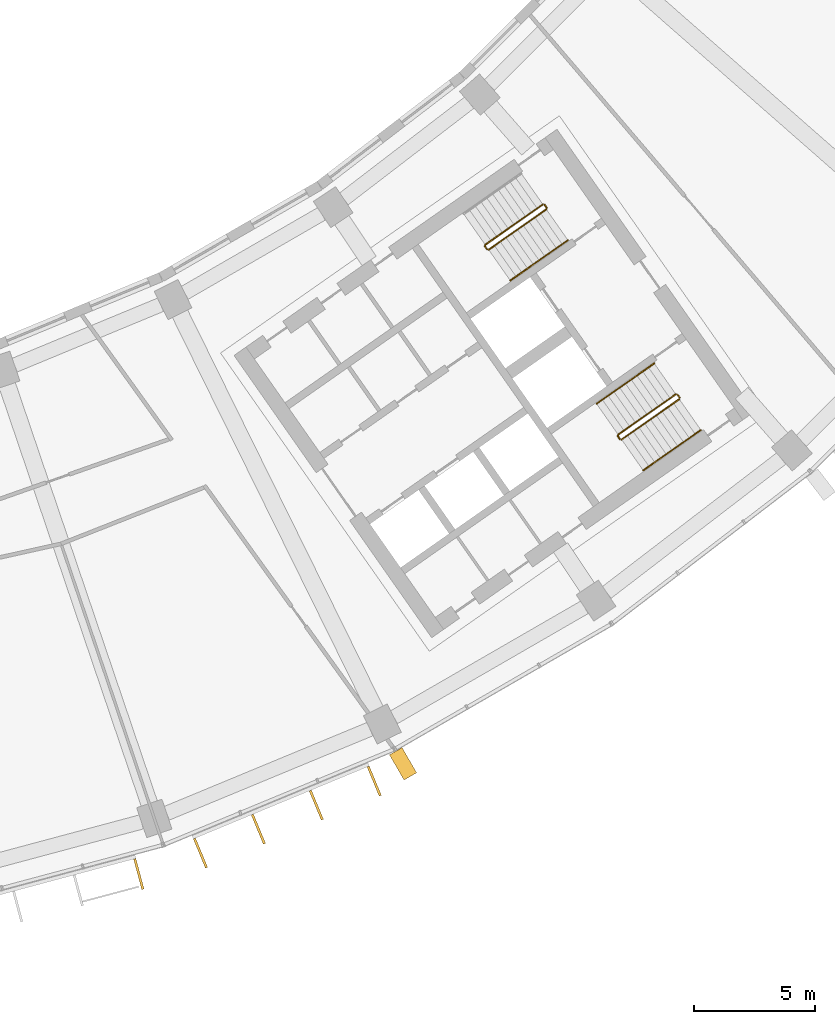
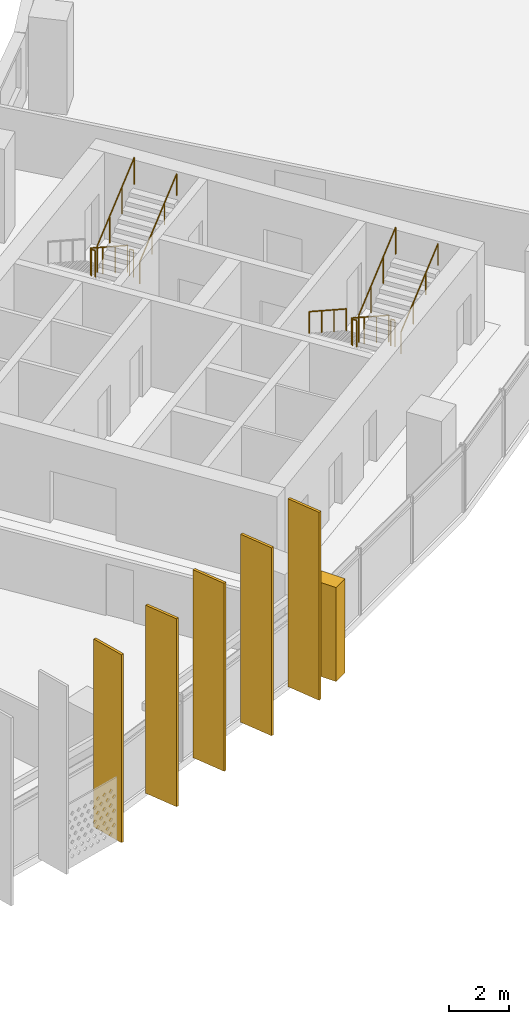
# One storey, part 25 of 26: 9 railings, 6 shading devices.
"""IFC4 building model written with IfcOpenShell, lengths in metres."""

from ifc_helpers import new_model, si_unit, direction, frame, origin, origin_2d, place, context, subcontext, project, spatial, polyline, rectangle, circle, outline, extrude, material, material_profile, profile_set, type_object, element, save


model = new_model("IFC4")

# Units and contexts
model_context = context("Model", 3, precision=1e-05, world=origin(), true_north=direction((0.0, 1.0)))
body_context = subcontext(model_context, "Body", "Model", "MODEL_VIEW")
ifc_project = project(units=[si_unit("LENGTHUNIT", "METRE"), si_unit("AREAUNIT", "SQUARE_METRE"), si_unit("VOLUMEUNIT", "CUBIC_METRE"), si_unit("PLANEANGLEUNIT", "RADIAN"), si_unit("MASSUNIT", "GRAM", prefix="KILO")], contexts=[model_context])

# Site, building, storey
site_placement = place(None, origin())
site = spatial("IfcSite", under=ifc_project, at=site_placement, CompositionType="ELEMENT")
building_placement = place(site_placement, origin())
building = spatial("IfcBuilding", under=site, at=building_placement, Name="Qamariyya Broadcast Tower", CompositionType="ELEMENT")
storey_placement = place(building_placement, frame((0.0, 0.0, 156.89990234375)))
storey = spatial("IfcBuildingStorey", under=building, at=storey_placement, Name="L36", CompositionType="ELEMENT", Elevation=156.89990234375)

# Shading device
ifc_material_1 = material(Name="Steel S355 powder coated deep red", Category="steel")
shading_device_type_1 = type_object("IfcShadingDeviceType", Name="Deep red frame, powder coated steel box section", PredefinedType="USERDEFINED", material=ifc_material_1)
shading_device_placement = place(storey_placement, origin())
element("IfcShadingDevice", 1, at=shading_device_placement, inside=storey, type_object=shading_device_type_1, Name="e-frm-B3-F4-posta-L36", ObjectType="FRAME", PredefinedType="USERDEFINED", context=body_context, shape_type="SweptSolid", body=[
    extrude(outline(polyline([(34.680908203125, -71.0029296875), (35.281005859375, -72.042236328125), (35.800537109375, -71.7421875), (35.20068359375, -70.702880859375), (34.680908203125, -71.0029296875)])), origin(), (0.0, 0.0, 1.0), 3.800048828125),
])

# Railings
ifc_material_2 = material(Name="Painted steel", Category="steel")
railing_type_1 = type_object("IfcRailingType", Name="Stair guard", PredefinedType="GUARDRAIL", material=ifc_material_2)
railing_1_placement = place(storey_placement, frame((41.003173828125, -48.320068359375, 0.1728515625)))
element("IfcRailing", 2, at=railing_1_placement, inside=storey, type_object=railing_type_1, Name="L36 ST-E2 stair guard 1", PredefinedType="GUARDRAIL", context=body_context, shape_type="SweptSolid", body=[
    extrude(circle(Radius=0.02392578125, at=origin_2d()), frame((0.0, 0.0, 1.076171875), z_axis=(-0.703770094002, -0.492783725636, 0.511734163933), x_axis=(0.573575343427, -0.819152809562, 0.0)), (0.0, 0.0, 1.0), 3.37548828125),
    extrude(circle(Radius=0.02392578125, at=origin_2d()), frame((-2.37548828125, -1.663330078125, 2.80322265625), z_axis=(-0.172799478008, -0.984957024646, 0.0), x_axis=(0.984957024646, -0.172799478008, 0.0)), (0.0, 0.0, 1.0), 0.070556640625),
    extrude(circle(Radius=0.02392578125, at=origin_2d()), frame((-2.3876953125, -1.73291015625, 2.80322265625), z_axis=(0.572588637393, -0.819842821722, 0.0), x_axis=(0.819842821722, 0.572588637393, 0.0)), (0.0, 0.0, 1.0), 0.150146484375),
    extrude(circle(Radius=0.02099609375, at=origin_2d()), origin(), (0.0, 0.0, 1.0), 1.052001953125),
    extrude(circle(Radius=0.02099609375, at=origin_2d()), frame((-0.791748046875, -0.554443359375, 0.57568359375)), (0.0, 0.0, 1.0), 1.052001953125),
    extrude(circle(Radius=0.02099609375, at=origin_2d()), frame((-1.583740234375, -1.10888671875, 1.151611328125)), (0.0, 0.0, 1.0), 1.052001953125),
    extrude(circle(Radius=0.02099609375, at=origin_2d()), frame((-2.37548828125, -1.663330078125, 1.727294921875)), (0.0, 0.0, 1.0), 1.052001953125),
    extrude(circle(Radius=0.02099609375, at=origin_2d()), frame((-2.3876953125, -1.73291015625, 1.727294921875)), (0.0, 0.0, 1.0), 1.052001953125),
    extrude(circle(Radius=0.02099609375, at=origin_2d()), frame((-2.3017578125, -1.85595703125, 1.727294921875)), (0.0, 0.0, 1.0), 1.052001953125),
])
railing_2_placement = place(storey_placement, frame((38.771240234375, -50.188232421875, 2.07275390625)))
element("IfcRailing", 3, at=railing_2_placement, inside=storey, type_object=railing_type_1, Name="L36 ST-E2 stair guard 2", PredefinedType="GUARDRAIL", context=body_context, shape_type="SweptSolid", body=[
    extrude(circle(Radius=0.02392578125, at=origin_2d()), frame((0.0, 0.0, 1.076171875), z_axis=(0.703770094002, 0.492783725636, 0.511734163933), x_axis=(-0.573575343427, 0.819152809562, 0.0)), (0.0, 0.0, 1.0), 3.37548828125),
    extrude(circle(Radius=0.02099609375, at=origin_2d()), origin(), (0.0, 0.0, 1.0), 1.052001953125),
    extrude(circle(Radius=0.02099609375, at=origin_2d()), frame((0.791748046875, 0.554443359375, 0.57568359375)), (0.0, 0.0, 1.0), 1.052001953125),
    extrude(circle(Radius=0.02099609375, at=origin_2d()), frame((1.583740234375, 1.10888671875, 1.151611328125)), (0.0, 0.0, 1.0), 1.052001953125),
    extrude(circle(Radius=0.02099609375, at=origin_2d()), frame((2.37548828125, 1.663330078125, 1.727294921875)), (0.0, 0.0, 1.0), 1.052001953125),
])
railing_3_placement = place(storey_placement, frame((41.072998046875, -48.332275390625, 0.0)))
element("IfcRailing", 4, at=railing_3_placement, inside=storey, type_object=railing_type_1, Name="L36 ST-E2 stair guard 3", PredefinedType="GUARDRAIL", context=body_context, shape_type="SweptSolid", body=[
    extrude(circle(Radius=0.02392578125, at=origin_2d()), frame((0.0, 0.0, 1.076171875), z_axis=(0.572588637393, -0.819842821722, 0.0), x_axis=(0.819842821722, 0.572588637393, 0.0)), (0.0, 0.0, 1.0), 0.150146484375),
    extrude(circle(Radius=0.02099609375, at=origin_2d()), origin(), (0.0, 0.0, 1.0), 1.052001953125),
    extrude(circle(Radius=0.02099609375, at=origin_2d()), frame((0.0859375, -0.123046875, 0.0)), (0.0, 0.0, 1.0), 1.052001953125),
])
railing_4_placement = place(storey_placement, frame((46.48095703125, -56.14306640625, 0.1728515625)))
element("IfcRailing", 5, at=railing_4_placement, inside=storey, type_object=railing_type_1, Name="L36 ST-E1 stair guard 1", PredefinedType="GUARDRAIL", context=body_context, shape_type="SweptSolid", body=[
    extrude(circle(Radius=0.02392578125, at=origin_2d()), frame((0.0, 0.0, 1.076171875), z_axis=(-0.703770094002, -0.492783725636, 0.511734163933), x_axis=(0.573575343427, -0.819152809562, 0.0)), (0.0, 0.0, 1.0), 3.37548828125),
    extrude(circle(Radius=0.02392578125, at=origin_2d()), frame((-2.37548828125, -1.663330078125, 2.80322265625), z_axis=(-0.176149252506, -0.984363469884, 0.0), x_axis=(0.984363469884, -0.176149252506, 0.0)), (0.0, 0.0, 1.0), 0.07080078125),
    extrude(circle(Radius=0.02392578125, at=origin_2d()), frame((-2.387939453125, -1.73291015625, 2.80322265625), z_axis=(0.574444878118, -0.818543268254, 0.0), x_axis=(0.818543268254, 0.574444878118, 0.0)), (0.0, 0.0, 1.0), 0.150146484375),
    extrude(circle(Radius=0.02099609375, at=origin_2d()), origin(), (0.0, 0.0, 1.0), 1.052001953125),
    extrude(circle(Radius=0.02099609375, at=origin_2d()), frame((-0.791748046875, -0.554443359375, 0.57568359375)), (0.0, 0.0, 1.0), 1.052001953125),
    extrude(circle(Radius=0.02099609375, at=origin_2d()), frame((-1.583740234375, -1.10888671875, 1.151611328125)), (0.0, 0.0, 1.0), 1.052001953125),
    extrude(circle(Radius=0.02099609375, at=origin_2d()), frame((-2.37548828125, -1.663330078125, 1.727294921875)), (0.0, 0.0, 1.0), 1.052001953125),
    extrude(circle(Radius=0.02099609375, at=origin_2d()), frame((-2.387939453125, -1.73291015625, 1.727294921875)), (0.0, 0.0, 1.0), 1.052001953125),
    extrude(circle(Radius=0.02099609375, at=origin_2d()), frame((-2.3017578125, -1.855712890625, 1.727294921875)), (0.0, 0.0, 1.0), 1.052001953125),
])
railing_5_placement = place(storey_placement, frame((44.248779296875, -58.01123046875, 2.07275390625)))
element("IfcRailing", 6, at=railing_5_placement, inside=storey, type_object=railing_type_1, Name="L36 ST-E1 stair guard 2", PredefinedType="GUARDRAIL", context=body_context, shape_type="SweptSolid", body=[
    extrude(circle(Radius=0.02392578125, at=origin_2d()), frame((0.0, 0.0, 1.076171875), z_axis=(0.703745009021, 0.492838488332, 0.511715923826), x_axis=(-0.573631830683, 0.819113253969, 0.0)), (0.0, 0.0, 1.0), 3.37548828125),
    extrude(circle(Radius=0.02099609375, at=origin_2d()), origin(), (0.0, 0.0, 1.0), 1.052001953125),
    extrude(circle(Radius=0.02099609375, at=origin_2d()), frame((0.791748046875, 0.554443359375, 0.57568359375)), (0.0, 0.0, 1.0), 1.052001953125),
    extrude(circle(Radius=0.02099609375, at=origin_2d()), frame((1.583740234375, 1.109130859375, 1.151611328125)), (0.0, 0.0, 1.0), 1.052001953125),
    extrude(circle(Radius=0.02099609375, at=origin_2d()), frame((2.37548828125, 1.66357421875, 1.727294921875)), (0.0, 0.0, 1.0), 1.052001953125),
])
railing_6_placement = place(storey_placement, frame((46.550537109375, -56.1552734375, 0.0)))
element("IfcRailing", 7, at=railing_6_placement, inside=storey, type_object=railing_type_1, Name="L36 ST-E1 stair guard 3", PredefinedType="GUARDRAIL", context=body_context, shape_type="SweptSolid", body=[
    extrude(circle(Radius=0.02392578125, at=origin_2d()), frame((0.0, 0.0, 1.076171875), z_axis=(0.574444878118, -0.818543268254, 0.0), x_axis=(0.818543268254, 0.574444878118, 0.0)), (0.0, 0.0, 1.0), 0.150146484375),
    extrude(circle(Radius=0.02099609375, at=origin_2d()), origin(), (0.0, 0.0, 1.0), 1.052001953125),
    extrude(circle(Radius=0.02099609375, at=origin_2d()), frame((0.086181640625, -0.122802734375, 0.0)), (0.0, 0.0, 1.0), 1.052001953125),
])
ifc_material_3 = material(Name="Stainless steel", Category="steel")
railing_type_2 = type_object("IfcRailingType", Name="Stair handrail", PredefinedType="HANDRAIL", material=ifc_material_3)
railing_7_placement = place(storey_placement, frame((39.66015625, -51.4580078125, 2.07275390625)))
element("IfcRailing", 8, at=railing_7_placement, inside=storey, type_object=railing_type_2, Name="L36 ST-E2 stair handrail 2", PredefinedType="HANDRAIL", context=body_context, shape_type="SweptSolid", body=[
    extrude(circle(Radius=0.02392578125, at=origin_2d()), frame((0.0, 0.0, 0.8759765625), z_axis=(0.703745009021, 0.492838488332, 0.511715923826), x_axis=(-0.573631830683, 0.819113253969, 0.0)), (0.0, 0.0, 1.0), 3.37548828125),
    extrude(circle(Radius=0.02099609375, at=origin_2d()), origin(), (0.0, 0.0, 1.0), 0.851806640625),
    extrude(circle(Radius=0.02099609375, at=origin_2d()), frame((0.791748046875, 0.554443359375, 0.57568359375)), (0.0, 0.0, 1.0), 0.851806640625),
    extrude(circle(Radius=0.02099609375, at=origin_2d()), frame((1.583740234375, 1.109130859375, 1.151611328125)), (0.0, 0.0, 1.0), 0.851806640625),
    extrude(circle(Radius=0.02099609375, at=origin_2d()), frame((2.37548828125, 1.66357421875, 1.727294921875)), (0.0, 0.0, 1.0), 0.851806640625),
])
railing_8_placement = place(storey_placement, frame((45.591796875, -54.873291015625, 0.1728515625)))
element("IfcRailing", 9, at=railing_8_placement, inside=storey, type_object=railing_type_2, Name="L36 ST-E1 stair handrail 1", PredefinedType="HANDRAIL", context=body_context, shape_type="SweptSolid", body=[
    extrude(circle(Radius=0.02392578125, at=origin_2d()), frame((0.0, 0.0, 0.8759765625), z_axis=(-0.703770094002, -0.492783725636, 0.511734163933), x_axis=(0.573575343427, -0.819152809562, 0.0)), (0.0, 0.0, 1.0), 3.37548828125),
    extrude(circle(Radius=0.02099609375, at=origin_2d()), origin(), (0.0, 0.0, 1.0), 0.851806640625),
    extrude(circle(Radius=0.02099609375, at=origin_2d()), frame((-0.791748046875, -0.554443359375, 0.57568359375)), (0.0, 0.0, 1.0), 0.851806640625),
    extrude(circle(Radius=0.02099609375, at=origin_2d()), frame((-1.583740234375, -1.10888671875, 1.151611328125)), (0.0, 0.0, 1.0), 0.851806640625),
    extrude(circle(Radius=0.02099609375, at=origin_2d()), frame((-2.37548828125, -1.663330078125, 1.727294921875)), (0.0, 0.0, 1.0), 0.851806640625),
])
railing_9_placement = place(storey_placement, frame((45.137939453125, -59.28076171875, 2.07275390625)))
element("IfcRailing", 10, at=railing_9_placement, inside=storey, type_object=railing_type_2, Name="L36 ST-E1 stair handrail 2", PredefinedType="HANDRAIL", context=body_context, shape_type="SweptSolid", body=[
    extrude(circle(Radius=0.02392578125, at=origin_2d()), frame((0.0, 0.0, 0.8759765625), z_axis=(0.703770094002, 0.492783725636, 0.511734163933), x_axis=(-0.573575343427, 0.819152809562, 0.0)), (0.0, 0.0, 1.0), 3.37548828125),
    extrude(circle(Radius=0.02099609375, at=origin_2d()), origin(), (0.0, 0.0, 1.0), 0.851806640625),
    extrude(circle(Radius=0.02099609375, at=origin_2d()), frame((0.791748046875, 0.554443359375, 0.57568359375)), (0.0, 0.0, 1.0), 0.851806640625),
    extrude(circle(Radius=0.02099609375, at=origin_2d()), frame((1.583740234375, 1.10888671875, 1.151611328125)), (0.0, 0.0, 1.0), 0.851806640625),
    extrude(circle(Radius=0.02099609375, at=origin_2d()), frame((2.37548828125, 1.663330078125, 1.727294921875)), (0.0, 0.0, 1.0), 0.851806640625),
])

# Shading devices
ifc_material_4 = material(Name="Glazed terracotta", Category="masonry")
ifc_material_profile = material_profile(ifc_material_4, rectangle(XDim=1.300048828125, YDim=0.10009765625, at=origin_2d()))
ifc_profile_set = profile_set([ifc_material_profile], Name="Glazed terracotta")
shading_device_type_2 = type_object("IfcShadingDeviceType", Name="Terracotta fin 100 x 1300", PredefinedType="USERDEFINED", material=ifc_profile_set)
for number, where, z_axis, x_axis, name in (
    (11, (24.35302734375, -75.91455078125, 0.0), (0.0, 0.0, 1.0), (0.258819045103, -0.965925826289, 0.0), "e-fin-L36-09-3"),
    (12, (26.893310546875, -75.05224609375, 0.0), (0.0, 0.0, 1.0), (0.382683432365, -0.923879532511, 0.0), "e-fin-L36-10-0"),
    (13, (29.280029296875, -74.063720703125, 0.0), (0.0, 0.0, 1.0), (0.382683432365, -0.923879532511, 0.0), "e-fin-L36-10-1"),
    (14, (31.666748046875, -73.074951171875, 0.0), (0.0, 0.0, 1.0), (0.382683432365, -0.923879532511, 0.0), "e-fin-L36-10-2"),
    (15, (34.053466796875, -72.08642578125, 0.0), (0.0, 0.0, 1.0), (0.382683432365, -0.923879532511, 0.0), "e-fin-L36-10-3"),
):
    element("IfcShadingDevice", number, at=place(storey_placement, frame(where, z_axis=z_axis, x_axis=x_axis)), inside=storey, type_object=shading_device_type_2, Name=name, ObjectType="FIN", PredefinedType="USERDEFINED", context=body_context, shape_type="SweptSolid", body=[
        extrude(rectangle(XDim=1.300048828125, YDim=0.10009765625, at=origin_2d()), origin(), (0.0, 0.0, 1.0), 7.60009765625),
    ])

save(model, "model.ifc")
